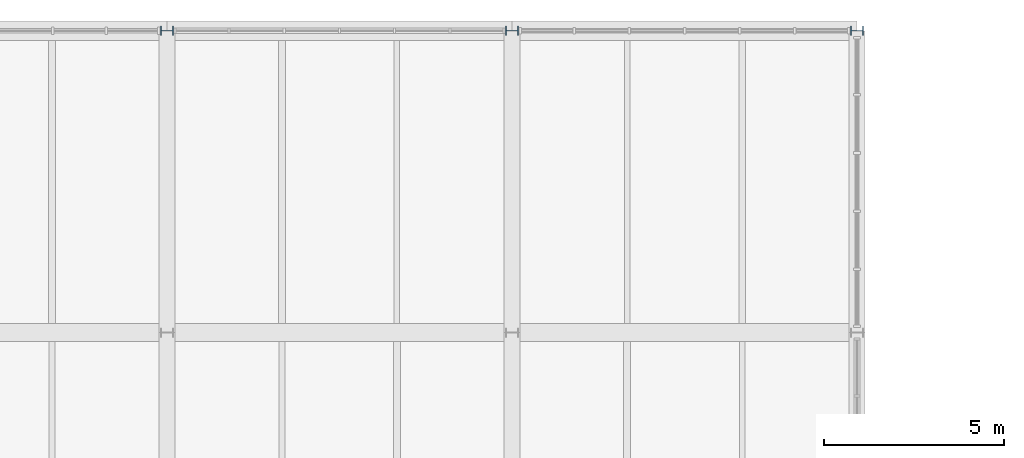
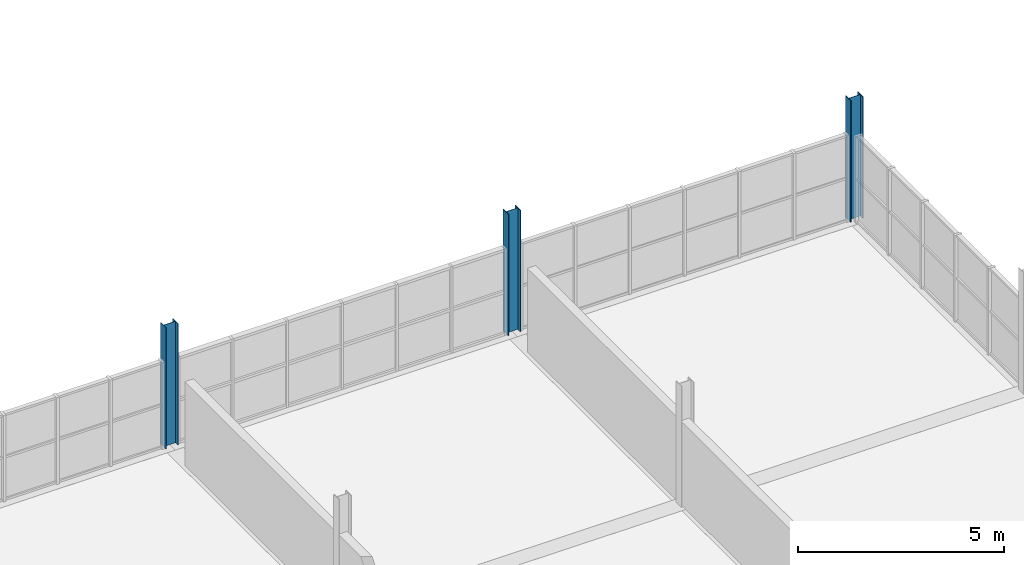
# One storey, part 19 of 147: 3 columns.
"""IFC4 building model written with IfcOpenShell, lengths in metres."""

import ifcopenshell
import ifcopenshell.guid

model = None  # the IFC model being written
_history = None  # IfcOwnerHistory: only IFC2X3 demands one
_inside = {}  # id of a spatial element -> (the spatial element, [elements in it])
_under = {}  # id of a project, library or spatial element -> (it, [spatial elements below it])
_declared = {}  # id of a project -> (the project, [libraries it declares])
_typed = {}  # id of a type object -> (the type object, [elements of that type])
_made_of = {}  # id of a material, layer set ... -> (it, [elements and type objects made of it])


def new_model(schema):
    """Start an empty IFC model of exactly this schema.

    Asked for "IFC4X3", IfcOpenShell would pick the latest addendum, in which some entities
    have other attributes; the version numbers below select the first issue.
    IFC2X3 requires an IfcOwnerHistory on every rooted entity: one is made here for all.
    """
    global model, _history
    if schema == "IFC4X3":
        model = ifcopenshell.file(schema_version=(4, 3, 0, 0))
    else:
        model = ifcopenshell.file(schema=schema)
    _inside.clear()
    _under.clear()
    _declared.clear()
    _typed.clear()
    _made_of.clear()
    _history = None
    if model.schema == "IFC2X3":
        org = make("IfcOrganization", Name="unknown")
        user = make(
            "IfcPersonAndOrganization",
            ThePerson=make("IfcPerson", FamilyName="unknown"),
            TheOrganization=org,
        )
        app = make(
            "IfcApplication",
            ApplicationDeveloper=org,
            Version="unknown",
            ApplicationFullName="unknown",
            ApplicationIdentifier="unknown",
        )
        _history = make(
            "IfcOwnerHistory",
            OwningUser=user,
            OwningApplication=app,
            ChangeAction="ADDED",
            CreationDate=0,
        )
    return model


def make(cls, **values):
    """One entity of the class cls with the attributes given. An attribute that is None is left unset."""
    return model.create_entity(
        cls, **{name: value for name, value in values.items() if value is not None}
    )


def rooted(cls, **values):
    """An entity with a GlobalId (a new one), such as an element, a storey or a relation."""
    return make(cls, GlobalId=ifcopenshell.guid.new(), OwnerHistory=_history, **values)


def si_unit(unit_type, name, prefix=None):
    """IfcSIUnit, for example si_unit("LENGTHUNIT", "METRE", prefix="MILLI")."""
    return make("IfcSIUnit", UnitType=unit_type, Prefix=prefix, Name=name)


def assignment(units):
    """IfcUnitAssignment: the units of a project."""
    return None if units is None else make("IfcUnitAssignment", Units=units)


def point(xyz):
    """IfcCartesianPoint."""
    return None if xyz is None else make("IfcCartesianPoint", Coordinates=xyz)


def direction(xyz):
    """IfcDirection."""
    return None if xyz is None else make("IfcDirection", DirectionRatios=xyz)


def frame(location, z_axis=None, x_axis=None):
    """IfcAxis2Placement3D, a coordinate frame: its origin and axes. An axis left out is left unset."""
    return make(
        "IfcAxis2Placement3D",
        Location=point(location),
        Axis=direction(z_axis),
        RefDirection=direction(x_axis),
    )


def frame_2d(location, x_axis=None):
    """IfcAxis2Placement2D, a coordinate frame in the plane: its origin and x axis."""
    return make(
        "IfcAxis2Placement2D", Location=point(location), RefDirection=direction(x_axis)
    )


def origin():
    """The frame at (0, 0, 0) with its axes left unset."""
    return frame((0.0, 0.0, 0.0))


def origin_2d():
    """The frame at (0, 0) in the plane with its x axis left unset."""
    return frame_2d((0.0, 0.0))


def place(relative_to, where):
    """IfcLocalPlacement: puts the frame where relative to a parent placement (None: the world)."""
    return make(
        "IfcLocalPlacement", PlacementRelTo=relative_to, RelativePlacement=where
    )


def context(
    kind, dimensions, precision=None, world=None, true_north=None, identifier=None
):
    """IfcGeometricRepresentationContext, for example the 3D "Model" context."""
    return make(
        "IfcGeometricRepresentationContext",
        ContextIdentifier=identifier,
        ContextType=kind,
        CoordinateSpaceDimension=dimensions,
        Precision=precision,
        WorldCoordinateSystem=world,
        TrueNorth=true_north,
    )


def subcontext(parent, identifier, kind, view, scale=None):
    """IfcGeometricRepresentationSubContext, for example "Body" below "Model"."""
    return make(
        "IfcGeometricRepresentationSubContext",
        ContextIdentifier=identifier,
        ContextType=kind,
        ParentContext=parent,
        TargetScale=scale,
        TargetView=view,
    )


def project(units=None, contexts=None):
    """IfcProject with its units and contexts."""
    return rooted(
        "IfcProject",
        Name="project",
        RepresentationContexts=contexts,
        UnitsInContext=assignment(units),
    )


def spatial(cls, under=None, at=None, **own):
    """A site, building, storey or space (cls), placed at a placement, below another one or the project."""
    s = rooted(cls, ObjectPlacement=at, **own)
    if under is not None:
        _under.setdefault(under.id(), (under, []))[1].append(s)
    return s


def profile(cls, at=None, kind="AREA", **sizes):
    """A parametric profile (cls). Its sizes go by their IFC names, for example OverallWidth=200.0."""
    return make(cls, ProfileType=kind, Position=at, **sizes)


def i_section(**sizes):
    """IfcIShapeProfileDef."""
    return profile("IfcIShapeProfileDef", **sizes)


def extrude(swept, where, along, depth):
    """IfcExtrudedAreaSolid: the profile swept, set in the frame where, extruded along a direction by depth."""
    return make(
        "IfcExtrudedAreaSolid",
        SweptArea=swept,
        Position=where,
        ExtrudedDirection=direction(along),
        Depth=depth,
    )


def shape(context_of_items, identifier, shape_type, items):
    """IfcShapeRepresentation: the items that make up one representation, for example the "Body"."""
    return make(
        "IfcShapeRepresentation",
        ContextOfItems=context_of_items,
        RepresentationIdentifier=identifier,
        RepresentationType=shape_type,
        Items=items,
    )


def material(Name=None, Category=None):
    """IfcMaterial."""
    return make("IfcMaterial", Name=Name, Category=Category)


def material_profile(
    of_material, cross_section, Name=None, Category=None, Priority=None
):
    """IfcMaterialProfile: a cross section and its material."""
    return make(
        "IfcMaterialProfile",
        Name=Name,
        Material=of_material,
        Profile=cross_section,
        Priority=Priority,
        Category=Category,
    )


def profile_set(profiles, Name=None, composite=None):
    """IfcMaterialProfileSet."""
    return make(
        "IfcMaterialProfileSet",
        Name=Name,
        MaterialProfiles=profiles,
        CompositeProfile=composite,
    )


def made_of(thing, what):
    """Note that an element or type object is made of a material, layer set ...; save() writes the relation."""
    if what is not None:
        _made_of.setdefault(what.id(), (what, []))[1].append(thing)
    return thing


def type_object(cls, material=None, **own):
    """A type object (cls), such as IfcWallType, which elements share."""
    return made_of(rooted(cls, **own), material)


def element(
    cls,
    number,
    at=None,
    inside=None,
    cuts=None,
    type_object=None,
    material=None,
    context=None,
    identifier="Body",
    shape_type=None,
    held_by="IfcProductDefinitionShape",
    body=None,
    shapes=None,
    **own,
):
    """One element of the class cls, such as IfcWall. Its Tag is "e" and its number.

    at: its placement. inside: the storey or other place that contains it. cuts: it is an
    opening in that element (IfcRelVoidsElement). A single representation is given by context,
    identifier, shape_type and body (its items); several are given by shapes. held_by: the class
    of the entity that holds the representations. save() writes the other relations.
    """
    e = rooted(cls, Tag="e%d" % number, ObjectPlacement=at, **own)
    if body is not None:
        shapes = [shape(context, identifier, shape_type, body)]
    if shapes is not None:
        e.Representation = make(held_by, Representations=shapes)
    if inside is not None:
        _inside.setdefault(inside.id(), (inside, []))[1].append(e)
    if cuts is not None:
        rooted(
            "IfcRelVoidsElement", RelatingBuildingElement=cuts, RelatedOpeningElement=e
        )
    if type_object is not None:
        _typed.setdefault(type_object.id(), (type_object, []))[1].append(e)
    return made_of(e, material)


def aggregate(whole, parts):
    """IfcRelAggregates: a whole, such as a stair, and the parts it consists of."""
    return rooted("IfcRelAggregates", RelatingObject=whole, RelatedObjects=parts)


def save(model, path):
    """Write the relations noted so far, then the file.

    IfcRelAggregates (storeys below a building ...), IfcRelContainedInSpatialStructure (elements
    in a storey), IfcRelDefinesByType, IfcRelAssociatesMaterial and IfcRelDeclares: one each for
    every whole, place, type object, material and project.
    """
    for whole, parts in _under.values():
        aggregate(whole, parts)
    for where, things in _inside.values():
        rooted(
            "IfcRelContainedInSpatialStructure",
            RelatedElements=things,
            RelatingStructure=where,
        )
    for kind, things in _typed.values():
        rooted("IfcRelDefinesByType", RelatedObjects=things, RelatingType=kind)
    for what, things in _made_of.values():
        rooted("IfcRelAssociatesMaterial", RelatedObjects=things, RelatingMaterial=what)
    for by, libraries in _declared.values():
        rooted("IfcRelDeclares", RelatingContext=by, RelatedDefinitions=libraries)
    model.write(path)


model = new_model("IFC4")

# Units and contexts
model_context = context("Model", 3, precision=1e-05, world=origin(), true_north=direction((0.0, 1.0)))
body_context = subcontext(model_context, "Body", "Model", "MODEL_VIEW")
ifc_project = project(units=[si_unit("LENGTHUNIT", "METRE"), si_unit("AREAUNIT", "SQUARE_METRE"), si_unit("VOLUMEUNIT", "CUBIC_METRE"), si_unit("PLANEANGLEUNIT", "RADIAN"), si_unit("MASSUNIT", "GRAM", prefix="KILO")], contexts=[model_context])

# Site, building, storey
site_placement = place(None, origin())
site = spatial("IfcSite", under=ifc_project, at=site_placement, CompositionType="ELEMENT")
building_placement = place(site_placement, origin())
building = spatial("IfcBuilding", under=site, at=building_placement, Name="Oolite Switchyard Hospital", CompositionType="ELEMENT")
storey_placement = place(building_placement, frame((0.0, 0.0, 9.89990234375)))
storey = spatial("IfcBuildingStorey", under=building, at=storey_placement, Name="L02", CompositionType="ELEMENT", Elevation=9.89990234375)

# Columns
ifc_material = material(Name="Steel ASTM A992 Grade 50", Category="steel")
ifc_material_profile = material_profile(ifc_material, i_section(OverallWidth=0.25390625, OverallDepth=0.35595703125, WebThickness=0.010986328125, FlangeThickness=0.01806640625, at=origin_2d()), Name="W14X68")
ifc_profile_set = profile_set([ifc_material_profile], Name="Steel ASTM A992 Grade 50")
column_type = type_object("IfcColumnType", Name="COL-STL14X68", PredefinedType="COLUMN", material=ifc_profile_set)
for number, where, z_axis, x_axis, name in (
    (1, (57.60009765625, 134.39990234375, 0.0), (0.0, 0.0, 1.0), (0.0, -1.0, 0.0), "L02 Column 734"),
    (2, (67.199951171875, 134.39990234375, 0.0), (0.0, 0.0, 1.0), (0.0, -1.0, 0.0), "L02 Column 743"),
    (3, (76.800048828125, 134.39990234375, 0.0), (0.0, 0.0, 1.0), (0.0, -1.0, 0.0), "L02 Column 752"),
):
    element("IfcColumn", number, at=place(storey_placement, frame(where, z_axis=z_axis, x_axis=x_axis)), inside=storey, type_object=column_type, Name=name, PredefinedType="COLUMN", context=body_context, shape_type="SweptSolid", body=[
        extrude(i_section(OverallWidth=0.25390625, OverallDepth=0.35595703125, WebThickness=0.010986328125, FlangeThickness=0.01806640625, at=origin_2d()), origin(), (0.0, 0.0, 1.0), 3.60009765625),
    ])

save(model, "model.ifc")
